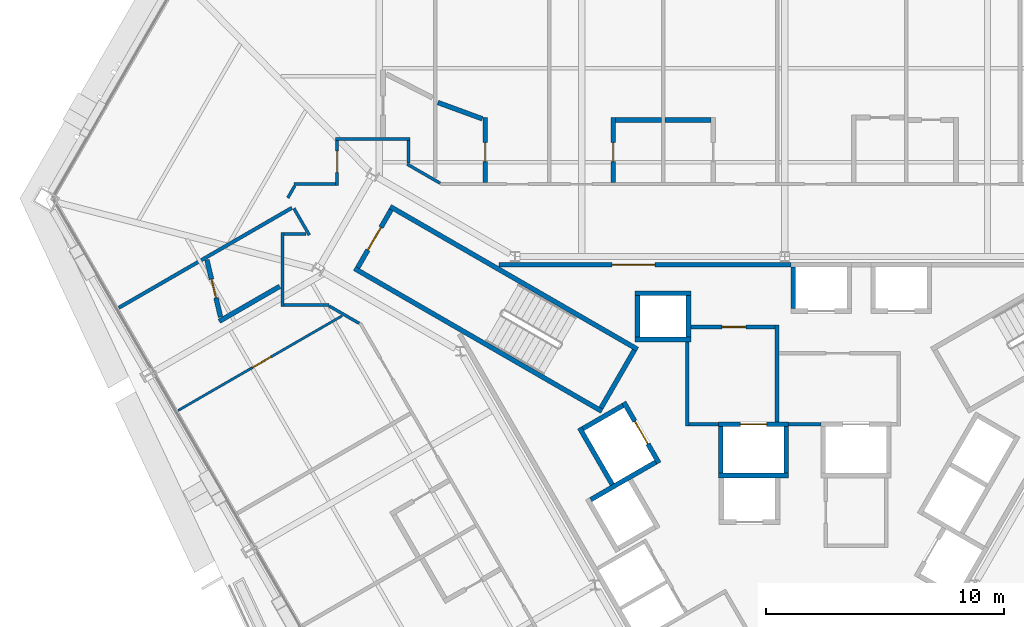
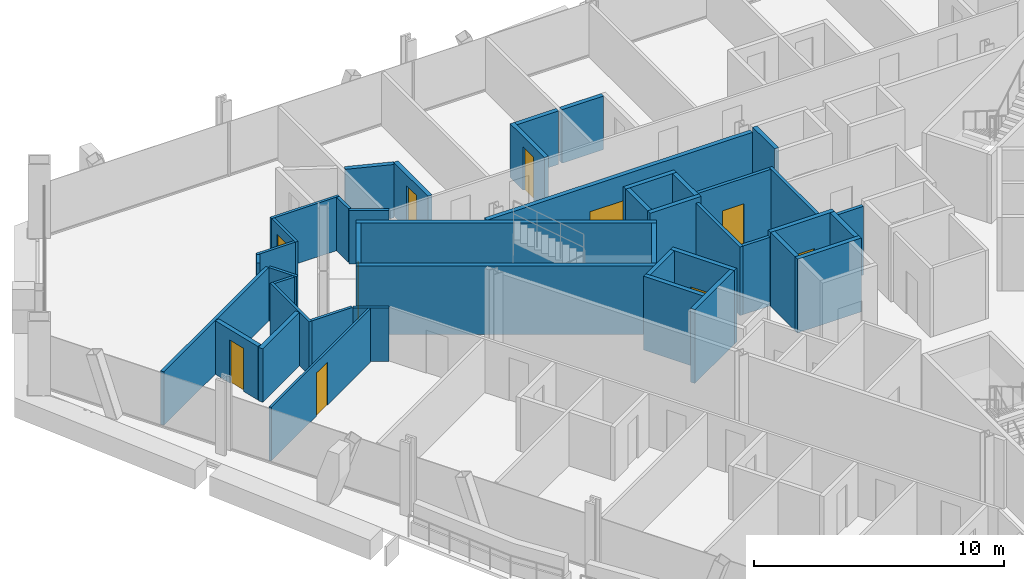
# One storey, part 13 of 17: 43 walls, 10 doors, 10 openings.
"""IFC4 building model written with IfcOpenShell, lengths in metres."""

from ifc_helpers import new_model, si_unit, direction, frame, frame_2d, origin, place, context, subcontext, project, spatial, rectangle, extrude, material, layer, layer_set, type_object, element, fill, save


model = new_model("IFC4")

# Units and contexts
model_context = context("Model", 3, precision=1e-05, world=origin(), true_north=direction((0.0, 1.0)))
body_context = subcontext(model_context, "Body", "Model", "MODEL_VIEW")
ifc_project = project(units=[si_unit("LENGTHUNIT", "METRE"), si_unit("AREAUNIT", "SQUARE_METRE"), si_unit("VOLUMEUNIT", "CUBIC_METRE"), si_unit("PLANEANGLEUNIT", "RADIAN"), si_unit("MASSUNIT", "GRAM", prefix="KILO")], contexts=[model_context])

# Site, building, storey
site_placement = place(None, origin())
site = spatial("IfcSite", under=ifc_project, at=site_placement, CompositionType="ELEMENT")
building_placement = place(site_placement, origin())
building = spatial("IfcBuilding", under=site, at=building_placement, Name="Verrane Prism Tower", CompositionType="ELEMENT")
storey_placement = place(building_placement, frame((0.0, 0.0, 51.199951171875)))
storey = spatial("IfcBuildingStorey", under=building, at=storey_placement, Name="L10", CompositionType="ELEMENT", Elevation=51.199951171875)

# Wall, opening, door
ifc_material_1 = material(Name="Gypsum board partition", Category="other")
ifc_layer_1 = layer(ifc_material_1, 0.199951171875)
ifc_layer_set_1 = layer_set([ifc_layer_1], Name="CW-200 core boundary wall 2 h")
wall_type_1 = type_object("IfcWallType", Name="CW-200 core boundary wall 2 h", PredefinedType="PARTITIONING", material=ifc_layer_set_1)
wall_1_placement = place(storey_placement, frame((0.262939453125, 8.860107421875, 0.0), z_axis=(0.0, 0.0, 1.0), x_axis=(-1.0, 0.0, 0.0)))
wall_1 = element("IfcWall", 1, at=wall_1_placement, inside=storey, type_object=wall_type_1, Name="Core boundary wall CW3-002", PredefinedType="PARTITIONING", context=body_context, shape_type="SweptSolid", body=[
    extrude(rectangle(XDim=12.25390625, YDim=0.199951171875, at=frame_2d((6.126953125, 0.0))), origin(), (0.0, 0.0, 1.0), 3.35009765625),
])
opening_1_placement = place(wall_1_placement, frame((5.708984375, 0.0, 0.0)))
opening_1 = element("IfcOpeningElement", 2, at=opening_1_placement, cuts=wall_1, Name="Opening D09511", PredefinedType="OPENING", context=body_context, shape_type="SweptSolid", body=[
    extrude(rectangle(XDim=1.800048828125, YDim=2.10009765625, at=frame_2d((0.89990234375, 1.050048828125))), frame((0.0, 0.10986328125, 0.0), z_axis=(0.0, -1.0, 0.0), x_axis=(1.0, 0.0, 0.0)), (0.0, 0.0, 1.0), 0.219970703125),
])
ifc_material_2 = material(Name="Timber veneered door leaf", Category="wood")
door_type_1 = type_object("IfcDoorType", Name="DR-1800x2100 FD60 double leaf lift lobby", OperationType="NOTDEFINED", PredefinedType="DOOR", material=ifc_material_2)
door_1_placement = place(opening_1_placement, origin())
door_1 = element("IfcDoor", 3, at=door_1_placement, inside=storey, type_object=door_type_1, Name="Lift lobby door D09511", OperationType="DOUBLE_DOOR_SINGLE_SWING", OverallHeight=2.10009765625, OverallWidth=1.800048828125, PredefinedType="DOOR", context=body_context, shape_type="SweptSolid", body=[
    extrude(rectangle(XDim=1.800048828125, YDim=2.10009765625, at=frame_2d((0.89990234375, 1.050048828125))), frame((0.0, 0.02490234375, 0.0), z_axis=(0.0, -1.0, 0.0), x_axis=(1.0, 0.0, 0.0)), (0.0, 0.0, 1.0), 0.050048828125),
])
fill(opening_1, door_1)

ifc_material_3 = material(Name="Concrete C40/50", Category="concrete")
ifc_layer_2 = layer(ifc_material_3, 0.199951171875)
ifc_layer_set_2 = layer_set([ifc_layer_2], Name="CW-200 stair core wall concrete C40/50 3 h")
wall_type_2 = type_object("IfcWallType", Name="CW-200 stair core wall concrete C40/50 3 h", PredefinedType="PARTITIONING", material=ifc_layer_set_2)
wall_2_placement = place(storey_placement, frame((-16.533935546875, 11.162353515625, 0.0), z_axis=(0.0, 0.0, 1.0), x_axis=(-0.49998411664, -0.866034573852, 0.0)))
wall_2 = element("IfcWall", 4, at=wall_2_placement, inside=storey, type_object=wall_type_2, Name="Stair 2 enclosure wall", PredefinedType="PARTITIONING", context=body_context, shape_type="SweptSolid", body=[
    extrude(rectangle(XDim=2.7998046875, YDim=0.199951171875, at=frame_2d((1.39990234375, 0.0))), origin(), (0.0, 0.0, 1.0), 3.35009765625),
])
opening_2_placement = place(wall_2_placement, frame((0.849853515625, 0.0, 0.0)))
opening_2 = element("IfcOpeningElement", 5, at=opening_2_placement, cuts=wall_2, Name="Opening D09501", PredefinedType="OPENING", context=body_context, shape_type="SweptSolid", body=[
    extrude(rectangle(XDim=1.10009765625, YDim=2.10009765625, at=frame_2d((0.550048828125, 1.050048828125))), frame((0.0, 0.10986328125, 0.0), z_axis=(0.0, -1.0, 0.0), x_axis=(1.0, 0.0, 0.0)), (0.0, 0.0, 1.0), 0.219970703125),
])
ifc_material_4 = material(Name="Timber veneered door leaf", Category="wood")
door_type_2 = type_object("IfcDoorType", Name="DR-1100x2100 FD90 single leaf stair", OperationType="NOTDEFINED", PredefinedType="DOOR", material=ifc_material_4)
door_2_placement = place(opening_2_placement, origin())
door_2 = element("IfcDoor", 6, at=door_2_placement, inside=storey, type_object=door_type_2, Name="Stair 2 door", OperationType="SINGLE_SWING_RIGHT", OverallHeight=2.10009765625, OverallWidth=1.10009765625, PredefinedType="DOOR", context=body_context, shape_type="SweptSolid", body=[
    extrude(rectangle(XDim=1.10009765625, YDim=2.10009765625, at=frame_2d((0.550048828125, 1.050048828125))), frame((0.0, 0.02490234375, 0.0), z_axis=(0.0, -1.0, 0.0), x_axis=(1.0, 0.0, 0.0)), (0.0, 0.0, 1.0), 0.050048828125),
])
fill(opening_2, door_2)

# Walls
for number, where, z_axis, x_axis, name in (
    (7, (-7.67822265625, 2.700927734375, 0.0), (0.0, 0.0, 1.0), (-0.866026010844, 0.49999894854, 0.0), "Stair 2 enclosure wall"),
    (8, (-6.17822265625, 5.299072265625, 0.0), (0.0, 0.0, 1.0), (-0.866026010844, 0.49999894854, 0.0), "Stair 2 enclosure wall"),
):
    element("IfcWall", number, at=place(storey_placement, frame(where, z_axis=z_axis, x_axis=x_axis)), inside=storey, type_object=wall_type_2, Name=name, PredefinedType="PARTITIONING", context=body_context, shape_type="SweptSolid", body=[
        extrude(rectangle(XDim=12.0, YDim=0.199951171875, at=frame_2d((6.0, 0.0))), origin(), (0.0, 0.0, 1.0), 3.35009765625),
    ])
wall_3_placement = place(storey_placement, frame((-6.314697265625, 5.262451171875, 0.0), z_axis=(0.0, 0.0, 1.0), x_axis=(-0.500049511043, -0.865996816683, 0.0)))
element("IfcWall", 9, at=wall_3_placement, inside=storey, type_object=wall_type_2, Name="Stair 2 enclosure wall", PredefinedType="PARTITIONING", context=body_context, shape_type="SweptSolid", body=[
    extrude(rectangle(XDim=2.800048828125, YDim=0.199951171875, at=frame_2d((1.39990234375, 0.0))), origin(), (0.0, 0.0, 1.0), 3.35009765625),
])
ifc_material_5 = material(Name="Gypsum board shaft wall assembly", Category="other")
ifc_layer_3 = layer(ifc_material_5, 0.199951171875)
ifc_layer_set_3 = layer_set([ifc_layer_3], Name="HW-200 lift shaft wall 2 h")
wall_type_3 = type_object("IfcWallType", Name="HW-200 lift shaft wall 2 h", PredefinedType="PARTITIONING", material=ifc_layer_set_3)
wall_4_placement = place(storey_placement, frame((-2.784912109375, 0.0, 0.0), z_axis=(0.0, 0.0, 1.0), x_axis=(1.0, 0.0, 0.0)))
element("IfcWall", 10, at=wall_4_placement, inside=storey, type_object=wall_type_3, Name="Lift shaft wall", PredefinedType="PARTITIONING", context=body_context, shape_type="SweptSolid", body=[
    extrude(rectangle(XDim=2.949951171875, YDim=0.199951171875, at=frame_2d((1.47509765625, 0.0))), origin(), (0.0, 0.0, 1.0), 3.60009765625),
])

# Wall, opening, door
wall_5_placement = place(storey_placement, frame((-2.784912109375, 2.14990234375, 0.0), z_axis=(0.0, 0.0, 1.0), x_axis=(1.0, 0.0, 0.0)))
wall_5 = element("IfcWall", 11, at=wall_5_placement, inside=storey, type_object=wall_type_3, Name="Lift shaft wall", PredefinedType="PARTITIONING", context=body_context, shape_type="SweptSolid", body=[
    extrude(rectangle(XDim=2.949951171875, YDim=0.199951171875, at=frame_2d((1.47509765625, 0.0))), origin(), (0.0, 0.0, 1.0), 3.60009765625),
])
opening_3_placement = place(wall_5_placement, frame((0.925048828125, 0.0, 0.0)))
opening_3 = element("IfcOpeningElement", 12, at=opening_3_placement, cuts=wall_5, Name="Opening D09508", PredefinedType="OPENING", context=body_context, shape_type="SweptSolid", body=[
    extrude(rectangle(XDim=1.10009765625, YDim=2.10009765625, at=frame_2d((0.550048828125, 1.050048828125))), frame((0.0, 0.10986328125, 0.0), z_axis=(0.0, -1.0, 0.0), x_axis=(1.0, 0.0, 0.0)), (0.0, 0.0, 1.0), 0.219970703125),
])
ifc_material_6 = material(Name="Stainless steel sliding landing door", Category="steel")
door_type_3 = type_object("IfcDoorType", Name="LD-1100x2100 lift landing door FD90 sliding", OperationType="NOTDEFINED", PredefinedType="DOOR", material=ifc_material_6)
door_3_placement = place(opening_3_placement, origin())
door_3 = element("IfcDoor", 13, at=door_3_placement, inside=storey, type_object=door_type_3, Name="Fire service lift 1 landing door", OperationType="SLIDING_TO_LEFT", OverallHeight=2.10009765625, OverallWidth=1.10009765625, PredefinedType="DOOR", context=body_context, shape_type="SweptSolid", body=[
    extrude(rectangle(XDim=1.10009765625, YDim=2.10009765625, at=frame_2d((0.550048828125, 1.050048828125))), frame((0.0, 0.02490234375, 0.0), z_axis=(0.0, -1.0, 0.0), x_axis=(1.0, 0.0, 0.0)), (0.0, 0.0, 1.0), 0.050048828125),
])
fill(opening_3, door_3)

# Walls
for number, where, z_axis, x_axis, name in (
    (14, (-6.284912109375, 5.7099609375, 0.0), (0.0, 0.0, 1.0), (1.0, 0.0, 0.0), "Lift shaft wall"),
    (15, (-6.284912109375, 7.659912109375, 0.0), (0.0, 0.0, 1.0), (1.0, 0.0, 0.0), "Lift shaft wall"),
):
    element("IfcWall", number, at=place(storey_placement, frame(where, z_axis=z_axis, x_axis=x_axis)), inside=storey, type_object=wall_type_3, Name=name, PredefinedType="PARTITIONING", context=body_context, shape_type="SweptSolid", body=[
        extrude(rectangle(XDim=2.349853515625, YDim=0.199951171875, at=frame_2d((1.1748046875, 0.0))), origin(), (0.0, 0.0, 1.0), 3.60009765625),
    ])
wall_6_placement = place(storey_placement, frame((-8.14453125, -1.012939453125, 0.0), z_axis=(0.0, 0.0, 1.0), x_axis=(0.866016494683, 0.500015430699, 0.0)))
element("IfcWall", 16, at=wall_6_placement, inside=storey, type_object=wall_type_3, Name="Lift shaft wall", PredefinedType="PARTITIONING", context=body_context, shape_type="SweptSolid", body=[
    extrude(rectangle(XDim=3.14990234375, YDim=0.199951171875, at=frame_2d((1.574951171875, 0.0))), origin(), (0.0, 0.0, 1.0), 3.60009765625),
])
wall_7_placement = place(storey_placement, frame((-8.48046875, 1.968505859375, 0.0), z_axis=(0.0, 0.0, 1.0), x_axis=(0.866000020948, 0.500043961785, 0.0)))
element("IfcWall", 17, at=wall_7_placement, inside=storey, type_object=wall_type_3, Name="Lift shaft wall", PredefinedType="PARTITIONING", context=body_context, shape_type="SweptSolid", body=[
    extrude(rectangle(XDim=1.949951171875, YDim=0.199951171875, at=frame_2d((0.97509765625, 0.0))), origin(), (0.0, 0.0, 1.0), 3.60009765625),
])
wall_8_placement = place(storey_placement, frame((0.364990234375, 7.010009765625, 0.0), z_axis=(0.0, 0.0, 1.0), x_axis=(0.0, 1.0, 0.0)))
element("IfcWall", 18, at=wall_8_placement, inside=storey, type_object=wall_type_3, Name="Lift shaft wall", PredefinedType="PARTITIONING", context=body_context, shape_type="SweptSolid", body=[
    extrude(rectangle(XDim=1.75, YDim=0.199951171875, at=frame_2d((0.875, 0.0))), origin(), (0.0, 0.0, 1.0), 3.60009765625),
])
for number, where, z_axis, x_axis, name in (
    (19, (0.06494140625, 0.10009765625, 0.0), (0.0, 0.0, 1.0), (0.0, 1.0, 0.0), "Lift shaft wall"),
    (20, (-2.68505859375, 0.10009765625, 0.0), (0.0, 0.0, 1.0), (0.0, 1.0, 0.0), "Lift shaft wall"),
):
    element("IfcWall", number, at=place(storey_placement, frame(where, z_axis=z_axis, x_axis=x_axis)), inside=storey, type_object=wall_type_3, Name=name, PredefinedType="PARTITIONING", context=body_context, shape_type="SweptSolid", body=[
        extrude(rectangle(XDim=1.949951171875, YDim=0.199951171875, at=frame_2d((0.97509765625, 0.0))), origin(), (0.0, 0.0, 1.0), 3.60009765625),
    ])
for number, where, z_axis, x_axis, name in (
    (21, (-4.034912109375, 5.81005859375, 0.0), (0.0, 0.0, 1.0), (0.0, 1.0, 0.0), "Lift shaft wall"),
    (22, (-6.18505859375, 5.81005859375, 0.0), (0.0, 0.0, 1.0), (0.0, 1.0, 0.0), "Lift shaft wall"),
):
    element("IfcWall", number, at=place(storey_placement, frame(where, z_axis=z_axis, x_axis=x_axis)), inside=storey, type_object=wall_type_3, Name=name, PredefinedType="PARTITIONING", context=body_context, shape_type="SweptSolid", body=[
        extrude(rectangle(XDim=1.75, YDim=0.199951171875, at=frame_2d((0.875, 0.0))), origin(), (0.0, 0.0, 1.0), 3.60009765625),
    ])

# Wall, opening, door
wall_9_placement = place(storey_placement, frame((-5.280029296875, 0.525390625, 0.0), z_axis=(0.0, 0.0, 1.0), x_axis=(-0.500037662692, 0.866003658127, 0.0)))
wall_9 = element("IfcWall", 23, at=wall_9_placement, inside=storey, type_object=wall_type_3, Name="Lift shaft wall", PredefinedType="PARTITIONING", context=body_context, shape_type="SweptSolid", body=[
    extrude(rectangle(XDim=2.949951171875, YDim=0.199951171875, at=frame_2d((1.47509765625, 0.0))), origin(), (0.0, 0.0, 1.0), 3.60009765625),
])
opening_4_placement = place(wall_9_placement, frame((0.925048828125, 0.0, 0.0)))
opening_4 = element("IfcOpeningElement", 24, at=opening_4_placement, cuts=wall_9, Name="Opening D09510", PredefinedType="OPENING", context=body_context, shape_type="SweptSolid", body=[
    extrude(rectangle(XDim=1.10009765625, YDim=2.10009765625, at=frame_2d((0.550048828125, 1.050048828125))), frame((0.0, 0.10986328125, 0.0), z_axis=(0.0, -1.0, 0.0), x_axis=(1.0, 0.0, 0.0)), (0.0, 0.0, 1.0), 0.219970703125),
])
door_4_placement = place(opening_4_placement, origin())
door_4 = element("IfcDoor", 25, at=door_4_placement, inside=storey, type_object=door_type_3, Name="Service lift 1 landing door", OperationType="SLIDING_TO_LEFT", OverallHeight=2.10009765625, OverallWidth=1.10009765625, PredefinedType="DOOR", context=body_context, shape_type="SweptSolid", body=[
    extrude(rectangle(XDim=1.10009765625, YDim=2.10009765625, at=frame_2d((0.550048828125, 1.050048828125))), frame((0.0, 0.02490234375, 0.0), z_axis=(0.0, -1.0, 0.0), x_axis=(1.0, 0.0, 0.0)), (0.0, 0.0, 1.0), 0.050048828125),
])
fill(opening_4, door_4)

# Walls
wall_10_placement = place(storey_placement, frame((-7.241943359375, -0.37646484375, 0.0), z_axis=(0.0, 0.0, 1.0), x_axis=(-0.499996545922, 0.866027397988, 0.0)))
element("IfcWall", 26, at=wall_10_placement, inside=storey, type_object=wall_type_3, Name="Lift shaft wall", PredefinedType="PARTITIONING", context=body_context, shape_type="SweptSolid", body=[
    extrude(rectangle(XDim=2.75, YDim=0.199951171875, at=frame_2d((1.375, 0.0))), origin(), (0.0, 0.0, 1.0), 3.60009765625),
])
ifc_material_7 = material(Name="Gypsum board partition", Category="other")
ifc_layer_4 = layer(ifc_material_7, 0.14990234375)
ifc_layer_set_4 = layer_set([ifc_layer_4], Name="LF-150 firefighting lobby wall 1 h")
wall_type_4 = type_object("IfcWallType", Name="LF-150 firefighting lobby wall 1 h", PredefinedType="PARTITIONING", material=ifc_layer_set_4)
wall_11_placement = place(storey_placement, frame((-4.10009765625, 2.0849609375, 0.0), z_axis=(0.0, 0.0, 1.0), x_axis=(0.0, 1.0, 0.0)))
element("IfcWall", 27, at=wall_11_placement, inside=storey, type_object=wall_type_4, Name="Firefighting lobby wall LF1-001", PredefinedType="PARTITIONING", context=body_context, shape_type="SweptSolid", body=[
    extrude(rectangle(XDim=3.52294921875, YDim=0.14990234375, at=frame_2d((1.761474609375, 0.0))), origin(), (0.0, 0.0, 1.0), 3.35009765625),
])
wall_12_placement = place(storey_placement, frame((-4.02490234375, 2.159912109375, 0.0), z_axis=(0.0, 0.0, 1.0), x_axis=(1.0, 0.0, 0.0)))
element("IfcWall", 28, at=wall_12_placement, inside=storey, type_object=wall_type_4, Name="Firefighting lobby wall LF1-002", PredefinedType="PARTITIONING", context=body_context, shape_type="SweptSolid", body=[
    extrude(rectangle(XDim=1.23779296875, YDim=0.14990234375, at=frame_2d((0.618896484375, 0.0))), origin(), (0.0, 0.0, 1.0), 3.35009765625),
])

# Wall, opening, door
wall_13_placement = place(storey_placement, frame((-3.93310546875, 6.239990234375, 0.0), z_axis=(0.0, 0.0, 1.0), x_axis=(1.0, 0.0, 0.0)))
wall_13 = element("IfcWall", 29, at=wall_13_placement, inside=storey, type_object=wall_type_4, Name="Firefighting lobby wall LF1-003", PredefinedType="PARTITIONING", context=body_context, shape_type="SweptSolid", body=[
    extrude(rectangle(XDim=3.5380859375, YDim=0.14990234375, at=frame_2d((1.76904296875, 0.0))), origin(), (0.0, 0.0, 1.0), 3.35009765625),
])
opening_5_placement = place(wall_13_placement, frame((1.300048828125, 0.0, 0.0)))
opening_5 = element("IfcOpeningElement", 30, at=opening_5_placement, cuts=wall_13, Name="Opening D09515", PredefinedType="OPENING", context=body_context, shape_type="SweptSolid", body=[
    extrude(rectangle(XDim=1.0, YDim=2.10009765625, at=frame_2d((0.5, 1.050048828125))), frame((0.0, 0.0849609375, 0.0), z_axis=(0.0, -1.0, 0.0), x_axis=(1.0, 0.0, 0.0)), (0.0, 0.0, 1.0), 0.169921875),
])
ifc_material_8 = material(Name="Timber veneered door leaf", Category="wood")
door_type_4 = type_object("IfcDoorType", Name="DR-1000x2100 FD60 single leaf firefighting lobby", OperationType="NOTDEFINED", PredefinedType="DOOR", material=ifc_material_8)
door_5_placement = place(opening_5_placement, origin())
door_5 = element("IfcDoor", 31, at=door_5_placement, inside=storey, type_object=door_type_4, Name="Firefighting lobby door D09515", OperationType="SINGLE_SWING_LEFT", OverallHeight=2.10009765625, OverallWidth=1.0, PredefinedType="DOOR", context=body_context, shape_type="SweptSolid", body=[
    extrude(rectangle(XDim=1.0, YDim=2.10009765625, at=frame_2d((0.5, 1.050048828125))), frame((0.0, 0.02490234375, 0.0), z_axis=(0.0, -1.0, 0.0), x_axis=(1.0, 0.0, 0.0)), (0.0, 0.0, 1.0), 0.050048828125),
])
fill(opening_5, door_5)

# Walls
wall_14_placement = place(storey_placement, frame((-0.320068359375, 2.251953125, 0.0), z_axis=(0.0, 0.0, 1.0), x_axis=(0.0, 1.0, 0.0)))
element("IfcWall", 32, at=wall_14_placement, inside=storey, type_object=wall_type_4, Name="Firefighting lobby wall LF1-004", PredefinedType="PARTITIONING", context=body_context, shape_type="SweptSolid", body=[
    extrude(rectangle(XDim=4.06298828125, YDim=0.14990234375, at=frame_2d((2.031494140625, 0.0))), origin(), (0.0, 0.0, 1.0), 3.35009765625),
])
wall_15_placement = place(storey_placement, frame((0.1669921875, 2.159912109375, 0.0), z_axis=(0.0, 0.0, 1.0), x_axis=(1.0, 0.0, 0.0)))
element("IfcWall", 33, at=wall_15_placement, inside=storey, type_object=wall_type_4, Name="Firefighting lobby wall LF1-006", PredefinedType="PARTITIONING", context=body_context, shape_type="SweptSolid", body=[
    extrude(rectangle(XDim=1.35595703125, YDim=0.14990234375, at=frame_2d((0.677978515625, 0.0))), origin(), (0.0, 0.0, 1.0), 3.35009765625),
])

# Wall, opening, door
ifc_material_9 = material(Name="Gypsum board partition", Category="other")
ifc_layer_5 = layer(ifc_material_9, 0.10009765625)
ifc_layer_set_5 = layer_set([ifc_layer_5], Name="PW-100 room partition")
wall_type_5 = type_object("IfcWallType", Name="PW-100 room partition", PredefinedType="PARTITIONING", material=ifc_layer_set_5)
wall_16_placement = place(storey_placement, frame((-25.4755859375, 2.735107421875, 0.0), z_axis=(0.0, 0.0, 1.0), x_axis=(0.866077639848, 0.499909513568, 0.0)))
wall_16 = element("IfcWall", 34, at=wall_16_placement, inside=storey, type_object=wall_type_5, Name="Room partition 002", PredefinedType="PARTITIONING", context=body_context, shape_type="SweptSolid", body=[
    extrude(rectangle(XDim=7.9462890625, YDim=0.10009765625, at=frame_2d((3.97314453125, 0.0))), origin(), (0.0, 0.0, 1.0), 2.613037109375),
])
opening_6_placement = place(wall_16_placement, frame((3.603759765625, 0.0, 0.0)))
opening_6 = element("IfcOpeningElement", 35, at=opening_6_placement, cuts=wall_16, Name="Opening D09027", PredefinedType="OPENING", context=body_context, shape_type="SweptSolid", body=[
    extrude(rectangle(XDim=0.89990234375, YDim=2.10009765625, at=frame_2d((0.449951171875, 1.050048828125))), frame((0.0, 0.06005859375, 0.0), z_axis=(0.0, -1.0, 0.0), x_axis=(1.0, 0.0, 0.0)), (0.0, 0.0, 1.0), 0.1201171875),
])
ifc_material_10 = material(Name="Timber veneered door leaf", Category="wood")
door_type_5 = type_object("IfcDoorType", Name="DR-900x2100 single leaf inner", OperationType="NOTDEFINED", PredefinedType="DOOR", material=ifc_material_10)
door_6_placement = place(opening_6_placement, origin())
door_6 = element("IfcDoor", 36, at=door_6_placement, inside=storey, type_object=door_type_5, Name="Suite Living Room door", OperationType="SINGLE_SWING_LEFT", OverallHeight=2.10009765625, OverallWidth=0.89990234375, PredefinedType="DOOR", context=body_context, shape_type="SweptSolid", body=[
    extrude(rectangle(XDim=0.89990234375, YDim=2.10009765625, at=frame_2d((0.449951171875, 1.050048828125))), frame((0.0, 0.02490234375, 0.0), z_axis=(0.0, -1.0, 0.0), x_axis=(1.0, 0.0, 0.0)), (0.0, 0.0, 1.0), 0.050048828125),
])
fill(opening_6, door_6)

# Walls
ifc_material_11 = material(Name="Gypsum board partition", Category="other")
ifc_layer_6 = layer(ifc_material_11, 0.125)
ifc_layer_set_6 = layer_set([ifc_layer_6], Name="PW-125 corridor wall 1 h")
wall_type_6 = type_object("IfcWallType", Name="PW-125 corridor wall 1 h", PredefinedType="PARTITIONING", material=ifc_layer_set_6)
wall_17_placement = place(storey_placement, frame((-21.096923828125, 7.1005859375, 0.0), z_axis=(0.0, 0.0, 1.0), x_axis=(0.0, 1.0, 0.0)))
element("IfcWall", 37, at=wall_17_placement, inside=storey, type_object=wall_type_6, Name="Corridor wall 006", PredefinedType="PARTITIONING", context=body_context, shape_type="SweptSolid", body=[
    extrude(rectangle(XDim=3.118896484375, YDim=0.125, at=frame_2d((1.5595703125, 0.0))), origin(), (0.0, 0.0, 1.0), 2.613037109375),
])
wall_18_placement = place(storey_placement, frame((-21.031982421875, 7.1630859375, 0.0), z_axis=(0.0, 0.0, 1.0), x_axis=(1.0, 0.0, 0.0)))
element("IfcWall", 38, at=wall_18_placement, inside=storey, type_object=wall_type_6, Name="Corridor wall 007", PredefinedType="PARTITIONING", context=body_context, shape_type="SweptSolid", body=[
    extrude(rectangle(XDim=1.888427734375, YDim=0.125, at=frame_2d((0.9443359375, 0.0))), origin(), (0.0, 0.0, 1.0), 2.613037109375),
])
wall_19_placement = place(storey_placement, frame((-21.031982421875, 10.156982421875, 0.0), z_axis=(0.0, 0.0, 1.0), x_axis=(1.0, 0.0, 0.0)))
element("IfcWall", 39, at=wall_19_placement, inside=storey, type_object=wall_type_6, Name="Corridor wall 008", PredefinedType="PARTITIONING", context=body_context, shape_type="SweptSolid", body=[
    extrude(rectangle(XDim=0.927978515625, YDim=0.125, at=frame_2d((0.4638671875, 0.0))), origin(), (0.0, 0.0, 1.0), 2.613037109375),
])
wall_20_placement = place(storey_placement, frame((-20.87109375, 11.6669921875, 0.0), z_axis=(0.0, 0.0, 1.0), x_axis=(0.500769941337, 0.865580421367, 0.0)))
element("IfcWall", 40, at=wall_20_placement, inside=storey, type_object=wall_type_6, Name="Corridor wall 009", PredefinedType="PARTITIONING", context=body_context, shape_type="SweptSolid", body=[
    extrude(rectangle(XDim=0.578125, YDim=0.125, at=frame_2d((0.2890625, 0.0))), origin(), (0.0, 0.0, 1.0), 2.613037109375),
])
wall_21_placement = place(storey_placement, frame((-20.61474609375, 11.22314453125, 0.0), z_axis=(0.0, 0.0, 1.0), x_axis=(0.500076370288, -0.865981306888, 0.0)))
element("IfcWall", 41, at=wall_21_placement, inside=storey, type_object=wall_type_6, Name="Corridor wall 010", PredefinedType="PARTITIONING", context=body_context, shape_type="SweptSolid", body=[
    extrude(rectangle(XDim=1.293701171875, YDim=0.125, at=frame_2d((0.64697265625, 0.0))), origin(), (0.0, 0.0, 1.0), 2.613037109375),
])
wall_22_placement = place(storey_placement, frame((-20.6015625, 12.240966796875, 0.0), z_axis=(0.0, 0.0, 1.0), x_axis=(1.0, 0.0, 0.0)))
element("IfcWall", 42, at=wall_22_placement, inside=storey, type_object=wall_type_6, Name="Corridor wall 011", PredefinedType="PARTITIONING", context=body_context, shape_type="SweptSolid", body=[
    extrude(rectangle(XDim=1.739501953125, YDim=0.125, at=frame_2d((0.86962890625, 0.0))), origin(), (0.0, 0.0, 1.0), 2.613037109375),
])
wall_23_placement = place(storey_placement, frame((-19.13232421875, 7.12060546875, 0.0), z_axis=(0.0, 0.0, 1.0), x_axis=(0.865894215669, -0.500227155672, 0.0)))
element("IfcWall", 43, at=wall_23_placement, inside=storey, type_object=wall_type_6, Name="Corridor wall 013", PredefinedType="PARTITIONING", context=body_context, shape_type="SweptSolid", body=[
    extrude(rectangle(XDim=1.451416015625, YDim=0.125, at=frame_2d((0.7255859375, 0.0))), origin(), (0.0, 0.0, 1.0), 2.613037109375),
])

# Wall, opening, door
wall_24_placement = place(storey_placement, frame((-18.797119140625, 12.178466796875, 0.0), z_axis=(0.0, 0.0, 1.0), x_axis=(0.0, 1.0, 0.0)))
wall_24 = element("IfcWall", 44, at=wall_24_placement, inside=storey, type_object=wall_type_6, Name="Corridor wall 014", PredefinedType="PARTITIONING", context=body_context, shape_type="SweptSolid", body=[
    extrude(rectangle(XDim=1.8935546875, YDim=0.125, at=frame_2d((0.94677734375, 0.0))), origin(), (0.0, 0.0, 1.0), 2.613037109375),
])
opening_7_placement = place(wall_24_placement, frame((0.5625, 0.0, 0.0)))
opening_7 = element("IfcOpeningElement", 45, at=opening_7_placement, cuts=wall_24, Name="Opening D09024", PredefinedType="OPENING", context=body_context, shape_type="SweptSolid", body=[
    extrude(rectangle(XDim=0.89990234375, YDim=2.10009765625, at=frame_2d((0.449951171875, 1.050048828125))), frame((0.0, 0.072509765625, 0.0), z_axis=(0.0, -1.0, 0.0), x_axis=(1.0, 0.0, 0.0)), (0.0, 0.0, 1.0), 0.14501953125),
])
ifc_material_12 = material(Name="Timber veneered door leaf", Category="wood")
door_type_6 = type_object("IfcDoorType", Name="DR-900x2100 FD20 single leaf unit", OperationType="NOTDEFINED", PredefinedType="DOOR", material=ifc_material_12)
door_7_placement = place(opening_7_placement, origin())
door_7 = element("IfcDoor", 46, at=door_7_placement, inside=storey, type_object=door_type_6, Name="Corner Suite door", OperationType="SINGLE_SWING_RIGHT", OverallHeight=2.10009765625, OverallWidth=0.89990234375, PredefinedType="DOOR", context=body_context, shape_type="SweptSolid", body=[
    extrude(rectangle(XDim=0.89990234375, YDim=2.10009765625, at=frame_2d((0.449951171875, 1.050048828125))), frame((0.0, 0.02490234375, 0.0), z_axis=(0.0, -1.0, 0.0), x_axis=(1.0, 0.0, 0.0)), (0.0, 0.0, 1.0), 0.050048828125),
])
fill(opening_7, door_7)

# Walls
wall_25_placement = place(storey_placement, frame((-18.859619140625, 14.136962890625, 0.0), z_axis=(0.0, 0.0, 1.0), x_axis=(1.0, 0.0, 0.0)))
element("IfcWall", 47, at=wall_25_placement, inside=storey, type_object=wall_type_6, Name="Corridor wall 015", PredefinedType="PARTITIONING", context=body_context, shape_type="SweptSolid", body=[
    extrude(rectangle(XDim=3.119140625, YDim=0.125, at=frame_2d((1.5595703125, 0.0))), origin(), (0.0, 0.0, 1.0), 2.613037109375),
])
wall_26_placement = place(storey_placement, frame((-15.802978515625, 13.135009765625, 0.0), z_axis=(0.0, 0.0, 1.0), x_axis=(0.0, 1.0, 0.0)))
element("IfcWall", 48, at=wall_26_placement, inside=storey, type_object=wall_type_6, Name="Corridor wall 022", PredefinedType="PARTITIONING", context=body_context, shape_type="SweptSolid", body=[
    extrude(rectangle(XDim=0.93701171875, YDim=0.125, at=frame_2d((0.468505859375, 0.0))), origin(), (0.0, 0.0, 1.0), 2.613037109375),
])
wall_27_placement = place(storey_placement, frame((-15.857177734375, 13.081298828125, 0.0), z_axis=(0.0, 0.0, 1.0), x_axis=(0.865974057503, -0.500088923824, 0.0)))
element("IfcWall", 49, at=wall_27_placement, inside=storey, type_object=wall_type_6, Name="Corridor wall 023", PredefinedType="PARTITIONING", context=body_context, shape_type="SweptSolid", body=[
    extrude(rectangle(XDim=1.595458984375, YDim=0.125, at=frame_2d((0.7978515625, 0.0))), origin(), (0.0, 0.0, 1.0), 2.613037109375),
])
ifc_material_13 = material(Name="Gypsum board partition", Category="other")
ifc_layer_7 = layer(ifc_material_13, 0.14990234375)
ifc_layer_set_7 = layer_set([ifc_layer_7], Name="PW-150 demising wall 1 h")
wall_type_7 = type_object("IfcWallType", Name="PW-150 demising wall 1 h", PredefinedType="PARTITIONING", material=ifc_layer_set_7)
wall_28_placement = place(storey_placement, frame((-27.966796875, 7.050048828125, 0.0), z_axis=(0.0, 0.0, 1.0), x_axis=(0.86603249375, 0.499987719618, 0.0)))
element("IfcWall", 50, at=wall_28_placement, inside=storey, type_object=wall_type_7, Name="Demising wall 001", PredefinedType="PARTITIONING", context=body_context, shape_type="SweptSolid", body=[
    extrude(rectangle(XDim=8.391845703125, YDim=0.14990234375, at=frame_2d((4.19580078125, 0.0))), origin(), (0.0, 0.0, 1.0), 2.613037109375),
])

# Wall, opening, door
ifc_material_14 = material(Name="Gypsum board partition", Category="other")
ifc_layer_8 = layer(ifc_material_14, 0.199951171875)
ifc_layer_set_8 = layer_set([ifc_layer_8], Name="PW-200 plumbing wall")
wall_type_8 = type_object("IfcWallType", Name="PW-200 plumbing wall", PredefinedType="PARTITIONING", material=ifc_layer_set_8)
wall_29_placement = place(storey_placement, frame((-24.27197265625, 9.06396484375, 0.0), z_axis=(0.0, 0.0, 1.0), x_axis=(0.232636237171, -0.972563818551, 0.0)))
wall_29 = element("IfcWall", 51, at=wall_29_placement, inside=storey, type_object=wall_type_8, Name="Plumbing wall 003", PredefinedType="PARTITIONING", context=body_context, shape_type="SweptSolid", body=[
    extrude(rectangle(XDim=2.469482421875, YDim=0.199951171875, at=frame_2d((1.23486328125, 0.0))), origin(), (0.0, 0.0, 1.0), 2.613037109375),
])
opening_8_placement = place(wall_29_placement, frame((0.842041015625, 0.0, 0.0)))
opening_8 = element("IfcOpeningElement", 52, at=opening_8_placement, cuts=wall_29, Name="Opening D09028", PredefinedType="OPENING", context=body_context, shape_type="SweptSolid", body=[
    extrude(rectangle(XDim=0.800048828125, YDim=2.10009765625, at=frame_2d((0.39990234375, 1.050048828125))), frame((0.0, 0.10986328125, 0.0), z_axis=(0.0, -1.0, 0.0), x_axis=(1.0, 0.0, 0.0)), (0.0, 0.0, 1.0), 0.219970703125),
])
ifc_material_15 = material(Name="Timber veneered door leaf", Category="wood")
door_type_7 = type_object("IfcDoorType", Name="DR-800x2100 single leaf bath", OperationType="NOTDEFINED", PredefinedType="DOOR", material=ifc_material_15)
door_8_placement = place(opening_8_placement, origin())
door_8 = element("IfcDoor", 53, at=door_8_placement, inside=storey, type_object=door_type_7, Name="En-Suite door", OperationType="SINGLE_SWING_RIGHT", OverallHeight=2.10009765625, OverallWidth=0.800048828125, PredefinedType="DOOR", context=body_context, shape_type="SweptSolid", body=[
    extrude(rectangle(XDim=0.800048828125, YDim=2.10009765625, at=frame_2d((0.39990234375, 1.050048828125))), frame((0.0, 0.02490234375, 0.0), z_axis=(0.0, -1.0, 0.0), x_axis=(1.0, 0.0, 0.0)), (0.0, 0.0, 1.0), 0.050048828125),
])
fill(opening_8, door_8)

# Walls
wall_30_placement = place(storey_placement, frame((-23.752685546875, 6.48095703125, 0.0), z_axis=(0.0, 0.0, 1.0), x_axis=(0.866070680301, 0.499921570572, 0.0)))
element("IfcWall", 54, at=wall_30_placement, inside=storey, type_object=wall_type_8, Name="Plumbing wall 004", PredefinedType="PARTITIONING", context=body_context, shape_type="SweptSolid", body=[
    extrude(rectangle(XDim=2.9365234375, YDim=0.199951171875, at=frame_2d((1.46826171875, 0.0))), origin(), (0.0, 0.0, 1.0), 2.613037109375),
])
wall_31_placement = place(storey_placement, frame((-14.566650390625, 15.6708984375, 0.0), z_axis=(0.0, 0.0, 1.0), x_axis=(0.938894816734, -0.344204188105, 0.0)))
element("IfcWall", 55, at=wall_31_placement, inside=storey, type_object=wall_type_8, Name="Plumbing wall 027", PredefinedType="PARTITIONING", context=body_context, shape_type="SweptSolid", body=[
    extrude(rectangle(XDim=1.990234375, YDim=0.199951171875, at=frame_2d((0.9951171875, 0.0))), origin(), (0.0, 0.0, 1.0), 2.613037109375),
])

# Wall, opening, door
wall_32_placement = place(storey_placement, frame((-12.575927734375, 12.303466796875, 0.0), z_axis=(0.0, 0.0, 1.0), x_axis=(0.0, 1.0, 0.0)))
wall_32 = element("IfcWall", 56, at=wall_32_placement, inside=storey, type_object=wall_type_8, Name="Plumbing wall 031", PredefinedType="PARTITIONING", context=body_context, shape_type="SweptSolid", body=[
    extrude(rectangle(XDim=2.737548828125, YDim=0.199951171875, at=frame_2d((1.36865234375, 0.0))), origin(), (0.0, 0.0, 1.0), 2.613037109375),
])
opening_9_placement = place(wall_32_placement, frame((0.887451171875, 0.0, 0.0)))
opening_9 = element("IfcOpeningElement", 57, at=opening_9_placement, cuts=wall_32, Name="Opening D09023", PredefinedType="OPENING", context=body_context, shape_type="SweptSolid", body=[
    extrude(rectangle(XDim=0.800048828125, YDim=2.10009765625, at=frame_2d((0.39990234375, 1.050048828125))), frame((0.0, 0.10986328125, 0.0), z_axis=(0.0, -1.0, 0.0), x_axis=(1.0, 0.0, 0.0)), (0.0, 0.0, 1.0), 0.219970703125),
])
door_9_placement = place(opening_9_placement, origin())
door_9 = element("IfcDoor", 58, at=door_9_placement, inside=storey, type_object=door_type_7, Name="En-Suite door", OperationType="SINGLE_SWING_LEFT", OverallHeight=2.10009765625, OverallWidth=0.800048828125, PredefinedType="DOOR", context=body_context, shape_type="SweptSolid", body=[
    extrude(rectangle(XDim=0.800048828125, YDim=2.10009765625, at=frame_2d((0.39990234375, 1.050048828125))), frame((0.0, 0.02490234375, 0.0), z_axis=(0.0, -1.0, 0.0), x_axis=(1.0, 0.0, 0.0)), (0.0, 0.0, 1.0), 0.050048828125),
])
fill(opening_9, door_9)

wall_33_placement = place(storey_placement, frame((-7.199951171875, 15.041015625, 0.0), z_axis=(0.0, 0.0, 1.0), x_axis=(0.0, -1.0, 0.0)))
wall_33 = element("IfcWall", 59, at=wall_33_placement, inside=storey, type_object=wall_type_8, Name="Plumbing wall 038", PredefinedType="PARTITIONING", context=body_context, shape_type="SweptSolid", body=[
    extrude(rectangle(XDim=2.737548828125, YDim=0.199951171875, at=frame_2d((1.36865234375, 0.0))), origin(), (0.0, 0.0, 1.0), 2.613037109375),
])
opening_10_placement = place(wall_33_placement, frame((1.050048828125, 0.0, 0.0)))
opening_10 = element("IfcOpeningElement", 60, at=opening_10_placement, cuts=wall_33, Name="Opening D09021", PredefinedType="OPENING", context=body_context, shape_type="SweptSolid", body=[
    extrude(rectangle(XDim=0.800048828125, YDim=2.10009765625, at=frame_2d((0.39990234375, 1.050048828125))), frame((0.0, 0.10986328125, 0.0), z_axis=(0.0, -1.0, 0.0), x_axis=(1.0, 0.0, 0.0)), (0.0, 0.0, 1.0), 0.219970703125),
])
door_10_placement = place(opening_10_placement, origin())
door_10 = element("IfcDoor", 61, at=door_10_placement, inside=storey, type_object=door_type_7, Name="En-Suite door", OperationType="SINGLE_SWING_RIGHT", OverallHeight=2.10009765625, OverallWidth=0.800048828125, PredefinedType="DOOR", context=body_context, shape_type="SweptSolid", body=[
    extrude(rectangle(XDim=0.800048828125, YDim=2.10009765625, at=frame_2d((0.39990234375, 1.050048828125))), frame((0.0, 0.02490234375, 0.0), z_axis=(0.0, -1.0, 0.0), x_axis=(1.0, 0.0, 0.0)), (0.0, 0.0, 1.0), 0.050048828125),
])
fill(opening_10, door_10)

# Walls
wall_34_placement = place(storey_placement, frame((-7.10009765625, 14.94091796875, 0.0), z_axis=(0.0, 0.0, 1.0), x_axis=(1.0, 0.0, 0.0)))
element("IfcWall", 62, at=wall_34_placement, inside=storey, type_object=wall_type_8, Name="Plumbing wall 039", PredefinedType="PARTITIONING", context=body_context, shape_type="SweptSolid", body=[
    extrude(rectangle(XDim=1.920166015625, YDim=0.199951171875, at=frame_2d((0.9599609375, 0.0))), origin(), (0.0, 0.0, 1.0), 2.613037109375),
])
wall_35_placement = place(storey_placement, frame((-5.02001953125, 14.94091796875, 0.0), z_axis=(0.0, 0.0, 1.0), x_axis=(1.0, 0.0, 0.0)))
element("IfcWall", 63, at=wall_35_placement, inside=storey, type_object=wall_type_8, Name="Plumbing wall 045", PredefinedType="PARTITIONING", context=body_context, shape_type="SweptSolid", body=[
    extrude(rectangle(XDim=1.919921875, YDim=0.199951171875, at=frame_2d((0.9599609375, 0.0))), origin(), (0.0, 0.0, 1.0), 2.613037109375),
])

save(model, "model.ifc")
